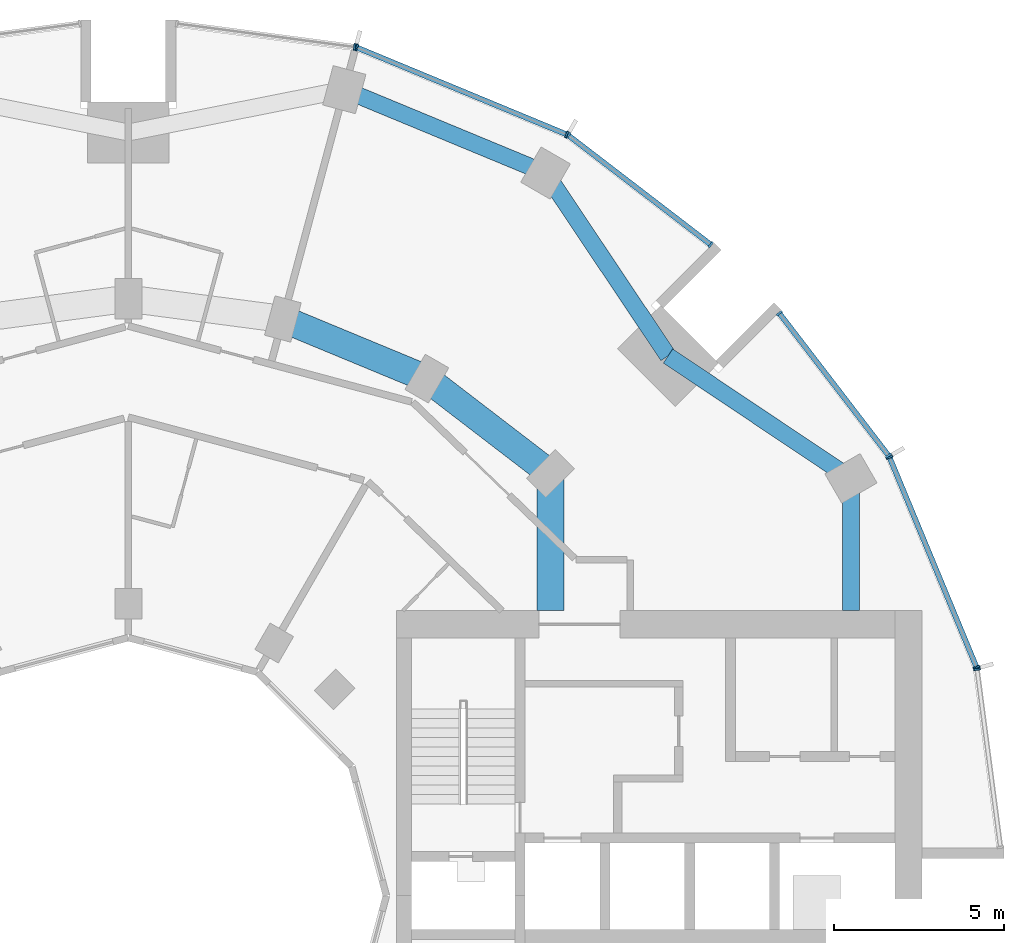
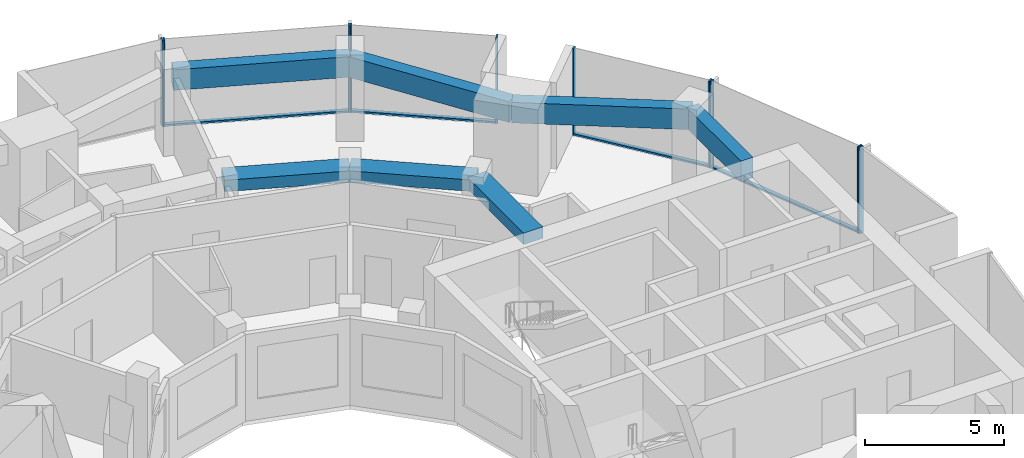
# One storey, part 6 of 15: 14 members, 7 beams, 6 elements without a shape of their own.
"""IFC4 building model written with IfcOpenShell, lengths in metres."""

from ifc_helpers import new_model, si_unit, direction, frame, origin, origin_2d, place, context, subcontext, project, spatial, rectangle, extrude, material, layer, layer_set, material_profile, profile_set, type_object, element, aggregate, save


model = new_model("IFC4")

# Units and contexts
model_context = context("Model", 3, precision=1e-05, world=origin(), true_north=direction((0.0, 1.0)))
body_context = subcontext(model_context, "Body", "Model", "MODEL_VIEW")
ifc_project = project(units=[si_unit("LENGTHUNIT", "METRE"), si_unit("AREAUNIT", "SQUARE_METRE"), si_unit("VOLUMEUNIT", "CUBIC_METRE"), si_unit("PLANEANGLEUNIT", "RADIAN"), si_unit("MASSUNIT", "GRAM", prefix="KILO")], contexts=[model_context])

# Site, building, storey
site_placement = place(None, origin())
site = spatial("IfcSite", under=ifc_project, at=site_placement, CompositionType="ELEMENT")
building_placement = place(site_placement, origin())
building = spatial("IfcBuilding", under=site, at=building_placement, Name="Torre Brocal", CompositionType="ELEMENT")
storey_placement = place(building_placement, frame((0.0, 0.0, 63.0)))
storey = spatial("IfcBuildingStorey", under=building, at=storey_placement, Name="L14", CompositionType="ELEMENT", Elevation=63.0)

# Curtain wall, members
ifc_material_1 = material(Name="Aluminium and glass", Category="aluminium")
ifc_layer_1 = layer(ifc_material_1, 0.199951171875)
ifc_layer_set_1 = layer_set([ifc_layer_1], Name="Aluminium and glass")
curtain_wall_type_1 = type_object("IfcCurtainWallType", Name="CW-1 CURTAIN WALL 3800 HIGH", PredefinedType="NOTDEFINED", material=ifc_layer_set_1)
curtain_wall_1_placement = place(storey_placement, origin())
curtain_wall_1 = element("IfcCurtainWall", 1, at=curtain_wall_1_placement, inside=storey, type_object=curtain_wall_type_1, Name="CW-1 RUN 2", PredefinedType="NOTDEFINED")
ifc_material_2 = material(Name="Aluminium, dark anodised", Category="aluminium")
ifc_material_profile_1 = material_profile(ifc_material_2, rectangle(XDim=0.199951171875, YDim=0.06005859375, at=origin_2d()), Name="CW-1 MULLION 60X200")
ifc_profile_set_1 = profile_set([ifc_material_profile_1], Name="Aluminium, dark anodised")
member_type_1 = type_object("IfcMemberType", Name="CW-1 MULLION 60X200", PredefinedType="MULLION", material=ifc_profile_set_1)
member_1_placement = place(storey_placement, frame((105.005126953125, 81.73095703125, 0.0), z_axis=(0.0, 0.0, 1.0), x_axis=(-0.923879532525, -0.382683432333, 0.0)))
member_1 = element("IfcMember", 2, at=member_1_placement, type_object=member_type_1, Name="CW1-1 mullion 1", PredefinedType="MULLION", context=body_context, shape_type="SweptSolid", body=[
    extrude(rectangle(XDim=0.199951171875, YDim=0.06005859375, at=origin_2d()), origin(), (0.0, 0.0, 1.0), 3.800048828125),
])
member_2_placement = place(storey_placement, frame((102.440673828125, 87.921875, 0.0), z_axis=(0.0, 0.0, 1.0), x_axis=(-0.923879532525, -0.382683432333, 0.0)))
member_2 = element("IfcMember", 3, at=member_2_placement, type_object=member_type_1, Name="CW1-1 mullion 2", PredefinedType="MULLION", context=body_context, shape_type="SweptSolid", body=[
    extrude(rectangle(XDim=0.199951171875, YDim=0.06005859375, at=origin_2d()), origin(), (0.0, 0.0, 1.0), 3.800048828125),
])

curtain_wall_2_placement = place(storey_placement, origin())
curtain_wall_2 = element("IfcCurtainWall", 4, at=curtain_wall_2_placement, inside=storey, type_object=curtain_wall_type_1, Name="CW-1 RUN 3", PredefinedType="NOTDEFINED")
member_3_placement = place(storey_placement, frame((102.4111328125, 87.973388671875, 0.0), z_axis=(0.0, 0.0, 1.0), x_axis=(-0.793353340259, -0.60876142905, 0.0)))
member_3 = element("IfcMember", 5, at=member_3_placement, type_object=member_type_1, Name="CW1-1 mullion 1", PredefinedType="MULLION", context=body_context, shape_type="SweptSolid", body=[
    extrude(rectangle(XDim=0.199951171875, YDim=0.06005859375, at=origin_2d()), origin(), (0.0, 0.0, 1.0), 3.800048828125),
])
member_4_placement = place(storey_placement, frame((99.19140625, 92.16943359375, 0.0), z_axis=(0.0, 0.0, 1.0), x_axis=(-0.793353340259, -0.60876142905, 0.0)))
member_4 = element("IfcMember", 6, at=member_4_placement, type_object=member_type_1, Name="CW1-1 mullion 2", PredefinedType="MULLION", context=body_context, shape_type="SweptSolid", body=[
    extrude(rectangle(XDim=0.199951171875, YDim=0.06005859375, at=origin_2d()), origin(), (0.0, 0.0, 1.0), 3.800048828125),
])

curtain_wall_3_placement = place(storey_placement, origin())
curtain_wall_3 = element("IfcCurtainWall", 7, at=curtain_wall_3_placement, inside=storey, type_object=curtain_wall_type_1, Name="CW-1 RUN 4", PredefinedType="NOTDEFINED")
member_5_placement = place(storey_placement, frame((97.16943359375, 94.19140625, 0.0), z_axis=(0.0, 0.0, 1.0), x_axis=(-0.60876142905, -0.793353340259, 0.0)))
member_5 = element("IfcMember", 8, at=member_5_placement, type_object=member_type_1, Name="CW1-1 mullion 1", PredefinedType="MULLION", context=body_context, shape_type="SweptSolid", body=[
    extrude(rectangle(XDim=0.199951171875, YDim=0.06005859375, at=origin_2d()), origin(), (0.0, 0.0, 1.0), 3.800048828125),
])
member_6_placement = place(storey_placement, frame((92.973388671875, 97.4111328125, 0.0), z_axis=(0.0, 0.0, 1.0), x_axis=(-0.60876142905, -0.793353340259, 0.0)))
member_6 = element("IfcMember", 9, at=member_6_placement, type_object=member_type_1, Name="CW1-1 mullion 2", PredefinedType="MULLION", context=body_context, shape_type="SweptSolid", body=[
    extrude(rectangle(XDim=0.199951171875, YDim=0.06005859375, at=origin_2d()), origin(), (0.0, 0.0, 1.0), 3.800048828125),
])

curtain_wall_4_placement = place(storey_placement, origin())
curtain_wall_4 = element("IfcCurtainWall", 10, at=curtain_wall_4_placement, inside=storey, type_object=curtain_wall_type_1, Name="CW-1 RUN 5", PredefinedType="NOTDEFINED")
member_7_placement = place(storey_placement, frame((92.921875, 97.440673828125, 0.0), z_axis=(0.0, 0.0, 1.0), x_axis=(-0.382683432333, -0.923879532525, 0.0)))
member_7 = element("IfcMember", 11, at=member_7_placement, type_object=member_type_1, Name="CW1-1 mullion 1", PredefinedType="MULLION", context=body_context, shape_type="SweptSolid", body=[
    extrude(rectangle(XDim=0.199951171875, YDim=0.06005859375, at=origin_2d()), origin(), (0.0, 0.0, 1.0), 3.800048828125),
])
member_8_placement = place(storey_placement, frame((86.73095703125, 100.005126953125, 0.0), z_axis=(0.0, 0.0, 1.0), x_axis=(-0.382683432333, -0.923879532525, 0.0)))
member_8 = element("IfcMember", 12, at=member_8_placement, type_object=member_type_1, Name="CW1-1 mullion 2", PredefinedType="MULLION", context=body_context, shape_type="SweptSolid", body=[
    extrude(rectangle(XDim=0.199951171875, YDim=0.06005859375, at=origin_2d()), origin(), (0.0, 0.0, 1.0), 3.800048828125),
])

# Curtain wall, member
curtain_wall_5_placement = place(storey_placement, origin())
curtain_wall_5 = element("IfcCurtainWall", 13, at=curtain_wall_5_placement, inside=storey, type_object=curtain_wall_type_1, Name="CW-1 RUN 6", PredefinedType="NOTDEFINED")
member_9_placement = place(storey_placement, frame((86.67333984375, 100.0205078125, 0.0), z_axis=(0.0, 0.0, 1.0), x_axis=(-0.13052619222, -0.991444861374, 0.0)))
member_9 = element("IfcMember", 14, at=member_9_placement, type_object=member_type_1, Name="CW1-1 mullion 1", PredefinedType="MULLION", context=body_context, shape_type="SweptSolid", body=[
    extrude(rectangle(XDim=0.199951171875, YDim=0.06005859375, at=origin_2d()), origin(), (0.0, 0.0, 1.0), 3.800048828125),
])
aggregate(curtain_wall_5, [member_9])

# Member
ifc_material_3 = material(Name="Aluminium, dark anodised", Category="aluminium")
ifc_material_profile_2 = material_profile(ifc_material_3, rectangle(XDim=0.159912109375, YDim=0.080078125, at=origin_2d()), Name="CW-1 TRANSOM 160X80")
ifc_profile_set_2 = profile_set([ifc_material_profile_2], Name="Aluminium, dark anodised")
member_type_2 = type_object("IfcMemberType", Name="CW-1 TRANSOM 160X80", PredefinedType="USERDEFINED", material=ifc_profile_set_2)
member_10_placement = place(storey_placement, frame((104.99365234375, 81.758544921875, 0.0400390625), z_axis=(-0.38266457234, 0.923887344364, 0.0), x_axis=(-0.923887344364, -0.38266457234, 0.0)))
member_10 = element("IfcMember", 15, at=member_10_placement, type_object=member_type_2, Name="CW1-1 transom 1.1", ObjectType="TRANSOM", PredefinedType="USERDEFINED", context=body_context, shape_type="SweptSolid", body=[
    extrude(rectangle(XDim=0.159912109375, YDim=0.080078125, at=origin_2d()), origin(), (0.0, 0.0, 1.0), 6.640869140625),
])

aggregate(curtain_wall_1, [member_1, member_2, member_10])

member_11_placement = place(storey_placement, frame((102.392822265625, 87.9970703125, 0.0400390625), z_axis=(-0.60874908096, 0.79336281513, 0.0), x_axis=(-0.79336281513, -0.60874908096, 0.0)))
member_11 = element("IfcMember", 16, at=member_11_placement, type_object=member_type_2, Name="CW1-1 transom 1.1", ObjectType="TRANSOM", PredefinedType="USERDEFINED", context=body_context, shape_type="SweptSolid", body=[
    extrude(rectangle(XDim=0.159912109375, YDim=0.080078125, at=origin_2d()), origin(), (0.0, 0.0, 1.0), 5.22900390625),
])

aggregate(curtain_wall_2, [member_3, member_4, member_11])

member_12_placement = place(storey_placement, frame((97.1455078125, 94.209716796875, 0.0400390625), z_axis=(-0.79336281513, 0.60874908096, 0.0), x_axis=(-0.60874908096, -0.79336281513, 0.0)))
member_12 = element("IfcMember", 17, at=member_12_placement, type_object=member_type_2, Name="CW1-1 transom 1.1", ObjectType="TRANSOM", PredefinedType="USERDEFINED", context=body_context, shape_type="SweptSolid", body=[
    extrude(rectangle(XDim=0.159912109375, YDim=0.080078125, at=origin_2d()), origin(), (0.0, 0.0, 1.0), 5.22900390625),
])

aggregate(curtain_wall_3, [member_5, member_6, member_12])

member_13_placement = place(storey_placement, frame((92.89404296875, 97.452392578125, 0.0400390625), z_axis=(-0.923887344364, 0.38266457234, 0.0), x_axis=(-0.38266457234, -0.923887344364, 0.0)))
member_13 = element("IfcMember", 18, at=member_13_placement, type_object=member_type_2, Name="CW1-1 transom 1.1", ObjectType="TRANSOM", PredefinedType="USERDEFINED", context=body_context, shape_type="SweptSolid", body=[
    extrude(rectangle(XDim=0.159912109375, YDim=0.080078125, at=origin_2d()), origin(), (0.0, 0.0, 1.0), 6.640869140625),
])

aggregate(curtain_wall_4, [member_7, member_8, member_13])

# Curtain wall, member
ifc_material_4 = material(Name="Aluminium and glass", Category="aluminium")
ifc_layer_2 = layer(ifc_material_4, 0.199951171875)
ifc_layer_set_2 = layer_set([ifc_layer_2], Name="Aluminium and glass")
curtain_wall_type_2 = type_object("IfcCurtainWallType", Name="CW-1B CURTAIN WALL 3800 HIGH", PredefinedType="NOTDEFINED", material=ifc_layer_set_2)
curtain_wall_6_placement = place(storey_placement, origin())
curtain_wall_6 = element("IfcCurtainWall", 19, at=curtain_wall_6_placement, inside=storey, type_object=curtain_wall_type_2, Name="CW-1B RUN 1", PredefinedType="NOTDEFINED")
ifc_material_5 = material(Name="Aluminium, dark anodised", Category="aluminium")
ifc_material_profile_3 = material_profile(ifc_material_5, rectangle(XDim=0.199951171875, YDim=0.06005859375, at=origin_2d()), Name="CW-1B MULLION 60X200")
ifc_profile_set_3 = profile_set([ifc_material_profile_3], Name="Aluminium, dark anodised")
member_type_3 = type_object("IfcMemberType", Name="CW-1B MULLION 60X200", PredefinedType="MULLION", material=ifc_profile_set_3)
member_14_placement = place(storey_placement, frame((105.0205078125, 81.67333984375, 0.0), z_axis=(0.0, 0.0, 1.0), x_axis=(-0.991444861374, -0.13052619222, 0.0)))
member_14 = element("IfcMember", 20, at=member_14_placement, type_object=member_type_3, Name="CW1B-1 mullion 2", PredefinedType="MULLION", context=body_context, shape_type="SweptSolid", body=[
    extrude(rectangle(XDim=0.199951171875, YDim=0.06005859375, at=origin_2d()), origin(), (0.0, 0.0, 1.0), 3.800048828125),
])
aggregate(curtain_wall_6, [member_14])

# Beams
ifc_material_6 = material(Name="Concrete C50", Category="concrete")
ifc_material_profile_4 = material_profile(ifc_material_6, rectangle(XDim=0.800048828125, YDim=0.5, at=origin_2d()), Name="RC 800X500")
ifc_profile_set_4 = profile_set([ifc_material_profile_4], Name="Concrete C50")
beam_type_1 = type_object("IfcBeamType", Name="RC BEAM 800X500 C50 TOP 3480", PredefinedType="BEAM", material=ifc_profile_set_4)
beam_1_placement = place(storey_placement, frame((92.445068359375, 87.445068359375, 3.22998046875), z_axis=(-0.793358265959, 0.6087550097, 0.0), x_axis=(-0.6087550097, -0.793358265959, 0.0)))
element("IfcBeam", 21, at=beam_1_placement, inside=storey, type_object=beam_type_1, Name="Beam BT-19", PredefinedType="BEAM", context=body_context, shape_type="SweptSolid", body=[
    extrude(rectangle(XDim=0.800048828125, YDim=0.5, at=origin_2d()), origin(), (0.0, 0.0, 1.0), 4.594482421875),
])
beam_2_placement = place(storey_placement, frame((88.800048828125, 90.241943359375, 3.22998046875), z_axis=(-0.923878240166, 0.382686552348, 0.0), x_axis=(-0.382686552348, -0.923878240166, 0.0)))
element("IfcBeam", 22, at=beam_2_placement, inside=storey, type_object=beam_type_1, Name="Beam BT-19", PredefinedType="BEAM", context=body_context, shape_type="SweptSolid", body=[
    extrude(rectangle(XDim=0.800048828125, YDim=0.5, at=origin_2d()), origin(), (0.0, 0.0, 1.0), 4.5947265625),
])
beam_3_placement = place(storey_placement, frame((92.445068359375, 87.445068359375, 3.22998046875), z_axis=(0.0, -1.0, 0.0), x_axis=(1.0, 0.0, 0.0)))
element("IfcBeam", 23, at=beam_3_placement, inside=storey, type_object=beam_type_1, Name="Beam BT-19", PredefinedType="BEAM", context=body_context, shape_type="SweptSolid", body=[
    extrude(rectangle(XDim=0.800048828125, YDim=0.5, at=origin_2d()), origin(), (0.0, 0.0, 1.0), 4.045166015625),
])
ifc_material_7 = material(Name="Concrete C50", Category="concrete")
ifc_material_profile_5 = material_profile(ifc_material_7, rectangle(XDim=0.5, YDim=0.89990234375, at=origin_2d()), Name="RC 500X900")
ifc_profile_set_5 = profile_set([ifc_material_profile_5], Name="Concrete C50")
beam_type_2 = type_object("IfcBeamType", Name="RC SPANDREL BEAM 500X900 C50 TOP 3480", PredefinedType="SPANDREL", material=ifc_profile_set_5)
for number, where, z_axis, x_axis, name in (
    (24, (101.30419921875, 87.300048828125, 3.030029296875), (-0.831076844476, 0.556157602282, 0.0), (-0.556157602282, -0.831076844476, 0.0), "Beam BT-20"),
    (25, (95.909912109375, 90.909912109375, 3.030029296875), (-0.556157602282, 0.831076844476, 0.0), (-0.831076844476, -0.556157602282, 0.0), "Beam BT-20"),
):
    element("IfcBeam", number, at=place(storey_placement, frame(where, z_axis=z_axis, x_axis=x_axis)), inside=storey, type_object=beam_type_2, Name=name, PredefinedType="SPANDREL", context=body_context, shape_type="SweptSolid", body=[
        extrude(rectangle(XDim=0.5, YDim=0.89990234375, at=origin_2d()), origin(), (0.0, 0.0, 1.0), 6.49072265625),
    ])
beam_4_placement = place(storey_placement, frame((92.300048828125, 96.30419921875, 3.030029296875), z_axis=(-0.923882462513, 0.382676358639, 0.0), x_axis=(-0.382676358639, -0.923882462513, 0.0)))
element("IfcBeam", 26, at=beam_4_placement, inside=storey, type_object=beam_type_2, Name="Beam BT-20", PredefinedType="SPANDREL", context=body_context, shape_type="SweptSolid", body=[
    extrude(rectangle(XDim=0.5, YDim=0.89990234375, at=origin_2d()), origin(), (0.0, 0.0, 1.0), 6.421875),
])
beam_5_placement = place(storey_placement, frame((101.30419921875, 87.300048828125, 3.030029296875), z_axis=(0.0, -1.0, 0.0), x_axis=(1.0, 0.0, 0.0)))
element("IfcBeam", 27, at=beam_5_placement, inside=storey, type_object=beam_type_2, Name="Beam BT-20", PredefinedType="SPANDREL", context=body_context, shape_type="SweptSolid", body=[
    extrude(rectangle(XDim=0.5, YDim=0.89990234375, at=origin_2d()), origin(), (0.0, 0.0, 1.0), 3.900146484375),
])

save(model, "model.ifc")
